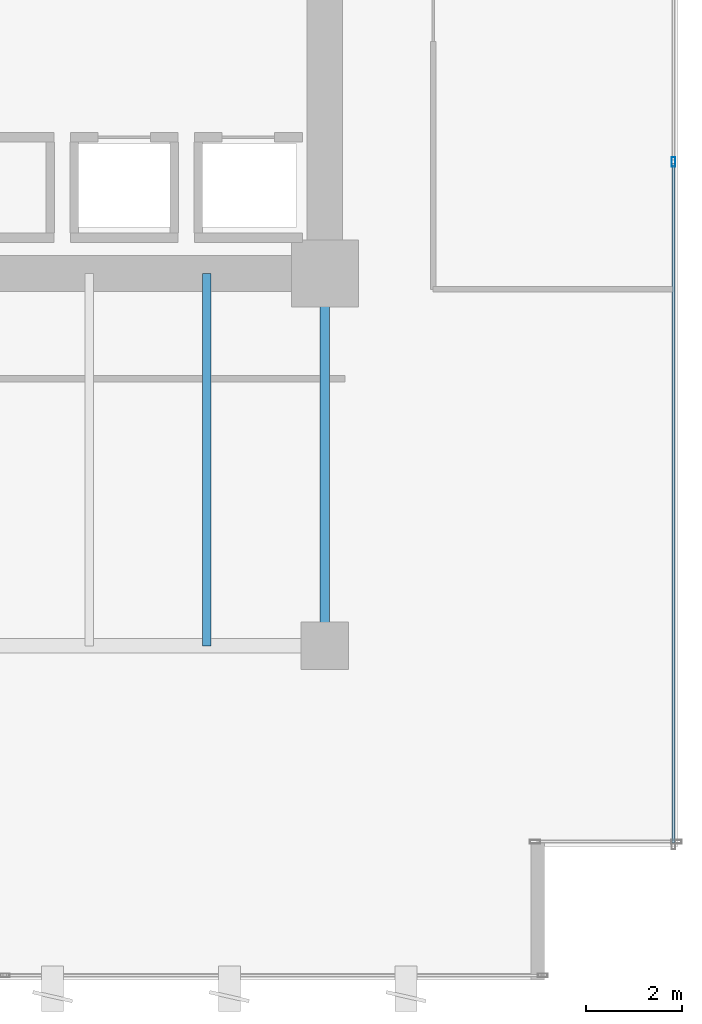
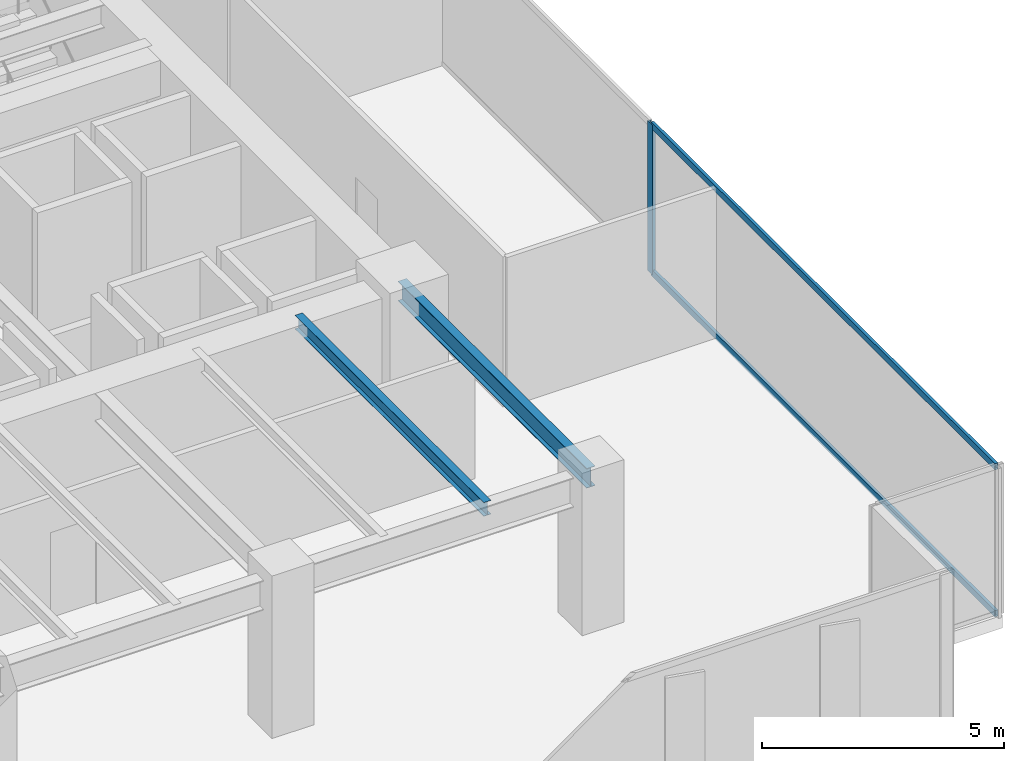
# One storey, part 24 of 36: 3 members, 2 beams, 1 element without a shape of its own.
"""IFC4 building model written with IfcOpenShell, lengths in metres."""

from ifc_helpers import new_model, si_unit, direction, frame, origin, origin_2d, place, context, subcontext, project, spatial, hollow_rectangle, i_section, extrude, source, transform, mapped, material, layer, layer_set, material_profile, profile_set, type_object, type_shapes, element, aggregate, save


model = new_model("IFC4")

# Units and contexts
model_context = context("Model", 3, precision=1e-05, world=origin(), true_north=direction((0.0, 1.0)))
body_context = subcontext(model_context, "Body", "Model", "MODEL_VIEW")
ifc_project = project(units=[si_unit("LENGTHUNIT", "METRE"), si_unit("AREAUNIT", "SQUARE_METRE"), si_unit("VOLUMEUNIT", "CUBIC_METRE"), si_unit("PLANEANGLEUNIT", "RADIAN"), si_unit("MASSUNIT", "GRAM", prefix="KILO")], contexts=[model_context])

# Site, building, storey
site_placement = place(None, origin())
site = spatial("IfcSite", under=ifc_project, at=site_placement, CompositionType="ELEMENT")
building_placement = place(site_placement, origin())
building = spatial("IfcBuilding", under=site, at=building_placement, Name="Haelvirn Gate Laboratories", CompositionType="ELEMENT")
storey_placement = place(building_placement, frame((0.0, 0.0, 29.300048828125)))
storey = spatial("IfcBuildingStorey", under=building, at=storey_placement, Name="L07", CompositionType="ELEMENT", Elevation=29.300048828125)

# Beams
ifc_material_1 = material(Name="Steel SM355", Category="steel")
ifc_material_profile_1 = material_profile(ifc_material_1, i_section(OverallWidth=0.199951171875, OverallDepth=0.5, WebThickness=0.010009765625, FlangeThickness=0.01611328125, at=origin_2d()), Name="H-500x200x10x16")
ifc_profile_set_1 = profile_set([ifc_material_profile_1], Name="Steel SM355")
beam_type_1 = type_object("IfcBeamType", Name="BM-SP-500", PredefinedType="SPANDREL", material=ifc_profile_set_1)
shared_shape_1 = source(origin(), body_context, "Body", "SweptSolid", [
    extrude(i_section(OverallWidth=0.199951171875, OverallDepth=0.5, WebThickness=0.010009765625, FlangeThickness=0.01611328125, at=origin_2d()), origin(), (0.0, 0.0, 1.0), 7.800048828125),
])
type_shapes(beam_type_1, [shared_shape_1])
beam_1_placement = place(storey_placement, frame((67.39990234375, 7.0, 3.530029296875), z_axis=(0.0, 1.0, 0.0), x_axis=(-1.0, 0.0, 0.0)))
element("IfcBeam", 1, at=beam_1_placement, inside=storey, type_object=beam_type_1, Name="L07 Perimeter Spandrel X67.4 (7.0-14.8)", PredefinedType="SPANDREL", context=body_context, shape_type="MappedRepresentation", body=[
    mapped(shared_shape_1, transform((0.0, 0.0, 0.0), scale=1.0)),
])
ifc_material_profile_2 = material_profile(ifc_material_1, i_section(OverallWidth=0.175048828125, OverallDepth=0.35009765625, WebThickness=0.007080078125, FlangeThickness=0.010986328125, at=origin_2d()), Name="H-350x175x7x11")
ifc_profile_set_2 = profile_set([ifc_material_profile_2], Name="Steel SM355")
beam_type_2 = type_object("IfcBeamType", Name="BM-J-350", PredefinedType="JOIST", material=ifc_profile_set_2)
shared_shape_2 = source(origin(), body_context, "Body", "SweptSolid", [
    extrude(i_section(OverallWidth=0.175048828125, OverallDepth=0.35009765625, WebThickness=0.007080078125, FlangeThickness=0.010986328125, at=origin_2d()), origin(), (0.0, 0.0, 1.0), 7.800048828125),
])
type_shapes(beam_type_2, [shared_shape_2])
beam_2_placement = place(storey_placement, frame((64.929931640625, 7.0, 3.60498046875), z_axis=(0.0, 1.0, 0.0), x_axis=(-1.0, 0.0, 0.0)))
element("IfcBeam", 2, at=beam_2_placement, inside=storey, type_object=beam_type_2, Name="L07 Composite Lab Joist South X64.93", PredefinedType="JOIST", context=body_context, shape_type="MappedRepresentation", body=[
    mapped(shared_shape_2, transform((0.0, 0.0, 0.0), scale=1.0)),
])

# Curtain wall, members
ifc_material_2 = material(Name="Anodised bronze unitised aluminium & triple low-E glass", Category="aluminium")
ifc_layer = layer(ifc_material_2, 0.18408203125, Name="CW-SYS-2")
ifc_layer_set = layer_set([ifc_layer], Name="Anodised bronze unitised aluminium & triple low-E glass")
curtain_wall_type = type_object("IfcCurtainWallType", Name="CW-SYS-2", PredefinedType="NOTDEFINED", material=ifc_layer_set)
curtain_wall_placement = place(storey_placement, origin())
curtain_wall = element("IfcCurtainWall", 3, at=curtain_wall_placement, inside=storey, type_object=curtain_wall_type, Name="L07 Unitised Curtain Wall CW-L07-P0-E07", PredefinedType="NOTDEFINED")
ifc_material_3 = material(Name="Extruded aluminium 6063-T6 (anodised bronze)", Category="aluminium")
ifc_material_profile_3 = material_profile(ifc_material_3, hollow_rectangle(XDim=0.074951171875, YDim=0.199951171875, WallThickness=0.0048828125, at=origin_2d()), Name="CWM-200x75x5")
ifc_profile_set_3 = profile_set([ifc_material_profile_3], Name="Extruded aluminium 6063-T6 (anodised bronze)")
member_type_1 = type_object("IfcMemberType", Name="CWM-T200", PredefinedType="MULLION", material=ifc_profile_set_3)
shared_shape_3 = source(origin(), body_context, "Body", "SweptSolid", [
    extrude(hollow_rectangle(XDim=0.074951171875, YDim=0.199951171875, WallThickness=0.0048828125, at=origin_2d()), origin(), (0.0, 0.0, 1.0), 3.780029296875),
])
type_shapes(member_type_1, [shared_shape_3])
member_1_placement = place(storey_placement, frame((74.699951171875, 17.13330078125, 0.0), z_axis=(0.0, 0.0, 1.0), x_axis=(-1.0, 0.0, 0.0)))
member_1 = element("IfcMember", 4, at=member_1_placement, type_object=member_type_1, Name="CW2 mullion 2", PredefinedType="MULLION", context=body_context, shape_type="MappedRepresentation", body=[
    mapped(shared_shape_3, transform((0.0, 0.0, 0.0), scale=1.0)),
])
ifc_material_profile_4 = material_profile(ifc_material_3, hollow_rectangle(XDim=0.070068359375, YDim=0.159912109375, WallThickness=0.0048828125, at=origin_2d()), Name="CWT-160x70x5")
ifc_profile_set_4 = profile_set([ifc_material_profile_4], Name="Extruded aluminium 6063-T6 (anodised bronze)")
member_type_2 = type_object("IfcMemberType", Name="CWT-T160", PredefinedType="USERDEFINED", material=ifc_profile_set_4)
shared_shape_4 = source(origin(), body_context, "Body", "SweptSolid", [
    extrude(hollow_rectangle(XDim=0.070068359375, YDim=0.159912109375, WallThickness=0.0048828125, at=origin_2d()), origin(), (0.0, 0.0, 1.0), 14.220947265625),
])
type_shapes(member_type_2, [shared_shape_4])
member_2_placement = place(storey_placement, frame((74.699951171875, 2.875, 0.034912109375), z_axis=(0.0, 1.0, 0.0), x_axis=(-1.0, 0.0, 0.0)))
member_2 = element("IfcMember", 5, at=member_2_placement, type_object=member_type_2, Name="CW2 transom 1.1", ObjectType="TRANSOM", PredefinedType="USERDEFINED", context=body_context, shape_type="MappedRepresentation", body=[
    mapped(shared_shape_4, transform((0.0, 0.0, 0.0), scale=1.0)),
])
member_3_placement = place(storey_placement, frame((74.699951171875, 2.875, 3.744873046875), z_axis=(0.0, 1.0, 0.0), x_axis=(-1.0, 0.0, 0.0)))
member_3 = element("IfcMember", 6, at=member_3_placement, type_object=member_type_2, Name="CW2 transom 1.2", ObjectType="TRANSOM", PredefinedType="USERDEFINED", context=body_context, shape_type="MappedRepresentation", body=[
    mapped(shared_shape_4, transform((0.0, 0.0, 0.0), scale=1.0)),
])
aggregate(curtain_wall, [member_1, member_2, member_3])

save(model, "model.ifc")
